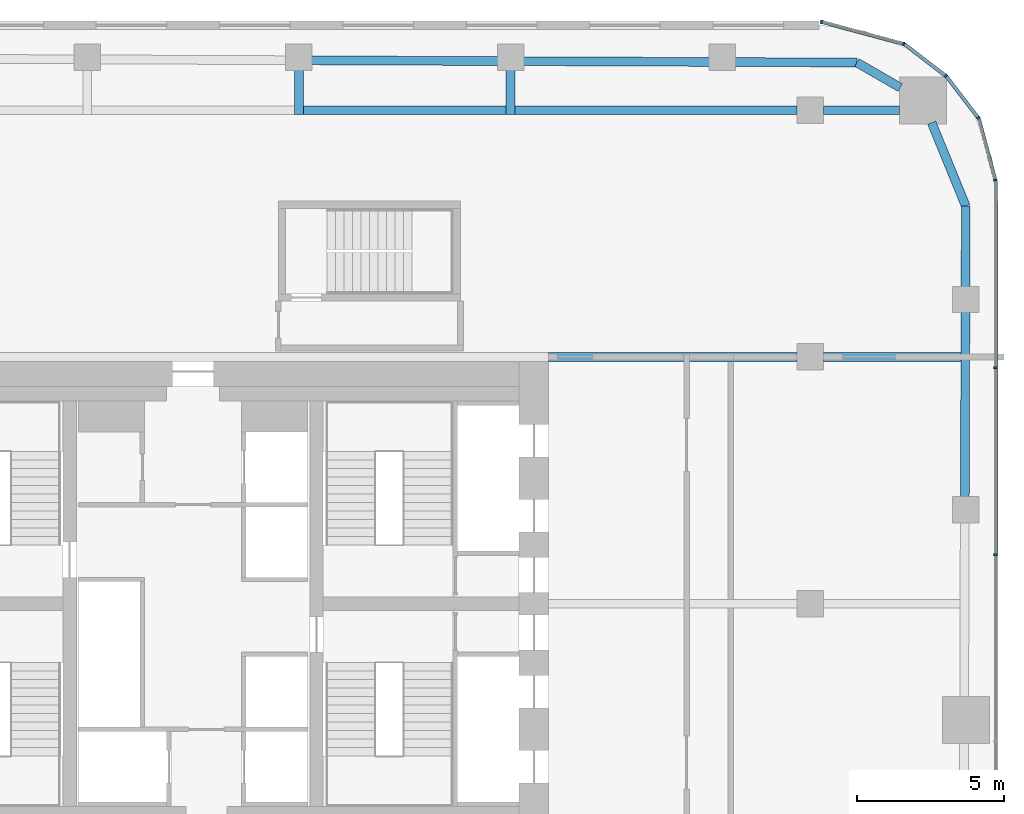
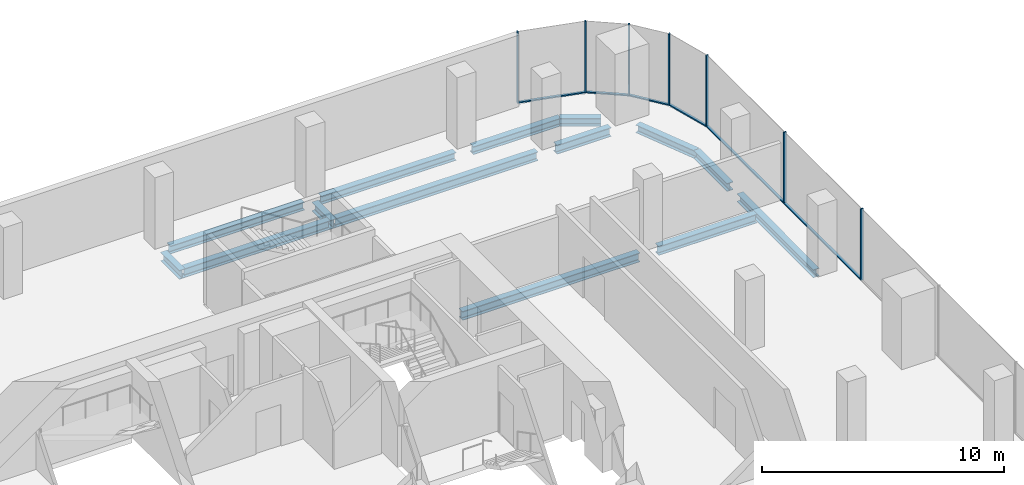
# One storey, part 11 of 21: 14 beams, 13 members, 5 elements without a shape of their own.
"""IFC4 building model written with IfcOpenShell, lengths in metres."""

from ifc_helpers import new_model, si_unit, direction, frame, origin, origin_2d, place, context, subcontext, project, spatial, rectangle, i_section, extrude, material, layer, layer_set, material_profile, profile_set, type_object, element, aggregate, save


model = new_model("IFC4")

# Units and contexts
model_context = context("Model", 3, precision=1e-05, world=origin(), true_north=direction((0.0, 1.0)))
body_context = subcontext(model_context, "Body", "Model", "MODEL_VIEW")
ifc_project = project(units=[si_unit("LENGTHUNIT", "METRE"), si_unit("AREAUNIT", "SQUARE_METRE"), si_unit("VOLUMEUNIT", "CUBIC_METRE"), si_unit("PLANEANGLEUNIT", "RADIAN"), si_unit("MASSUNIT", "GRAM", prefix="KILO")], contexts=[model_context])

# Site, building, storey
site_placement = place(None, origin())
site = spatial("IfcSite", under=ifc_project, at=site_placement, CompositionType="ELEMENT")
building_placement = place(site_placement, origin())
building = spatial("IfcBuilding", under=site, at=building_placement, Name="Marenta Gate Hotel Tower", CompositionType="ELEMENT")
storey_placement = place(building_placement, frame((0.0, 0.0, 133.699951171875)))
storey = spatial("IfcBuildingStorey", under=building, at=storey_placement, Name="L30", CompositionType="ELEMENT", Elevation=133.699951171875)

# Beams
ifc_material_1 = material(Name="Steel S355", Category="steel")
ifc_material_profile_1 = material_profile(ifc_material_1, i_section(OverallWidth=0.300048828125, OverallDepth=0.39990234375, WebThickness=0.013427734375, FlangeThickness=0.02392578125, FilletRadius=0.027099609375, at=origin_2d()), Name="HEB 400")
ifc_profile_set_1 = profile_set([ifc_material_profile_1], Name="Steel S355")
beam_type_1 = type_object("IfcBeamType", Name="Edge beam HEB 400", PredefinedType="SPANDREL", material=ifc_profile_set_1)
beam_1_placement = place(storey_placement, frame((4.011474609375, 26.89697265625, -0.4599609375), z_axis=(0.999991780119, -0.004054589324, 0.0), x_axis=(0.004054589324, 0.999991780119, 0.0)))
element("IfcBeam", 1, at=beam_1_placement, inside=storey, type_object=beam_type_1, Name="L30-EB-17", PredefinedType="SPANDREL", context=body_context, shape_type="SweptSolid", body=[
    extrude(i_section(OverallWidth=0.300048828125, OverallDepth=0.39990234375, WebThickness=0.013427734375, FlangeThickness=0.02392578125, FilletRadius=0.027099609375, at=origin_2d()), origin(), (0.0, 0.0, 1.0), 6.382568359375),
])
beam_2_placement = place(storey_placement, frame((11.214111328125, 26.86767578125, -0.4599609375), z_axis=(0.999991780748, -0.00405443424, 0.0), x_axis=(0.00405443424, 0.999991780748, 0.0)))
element("IfcBeam", 2, at=beam_2_placement, inside=storey, type_object=beam_type_1, Name="L30-EB-18", PredefinedType="SPANDREL", context=body_context, shape_type="SweptSolid", body=[
    extrude(i_section(OverallWidth=0.300048828125, OverallDepth=0.39990234375, WebThickness=0.013427734375, FlangeThickness=0.02392578125, FilletRadius=0.027099609375, at=origin_2d()), origin(), (0.0, 0.0, 1.0), 6.3828125),
])
beam_3_placement = place(storey_placement, frame((18.4169921875, 26.83837890625, -0.4599609375), z_axis=(0.999991621459, -0.004093532953, 0.0), x_axis=(0.004093532953, 0.999991621459, 0.0)))
element("IfcBeam", 3, at=beam_3_placement, inside=storey, type_object=beam_type_1, Name="L30-EB-19", PredefinedType="SPANDREL", context=body_context, shape_type="SweptSolid", body=[
    extrude(i_section(OverallWidth=0.300048828125, OverallDepth=0.39990234375, WebThickness=0.013427734375, FlangeThickness=0.02392578125, FilletRadius=0.027099609375, at=origin_2d()), origin(), (0.0, 0.0, 1.0), 4.1748046875),
])
beam_4_placement = place(storey_placement, frame((22.591796875, 26.8212890625, -0.4599609375), z_axis=(0.866016478054, -0.500015459501, 0.0), x_axis=(0.500015459501, 0.866016478054, 0.0)))
element("IfcBeam", 4, at=beam_4_placement, inside=storey, type_object=beam_type_1, Name="L30-EB-20", PredefinedType="SPANDREL", context=body_context, shape_type="SweptSolid", body=[
    extrude(i_section(OverallWidth=0.300048828125, OverallDepth=0.39990234375, WebThickness=0.013427734375, FlangeThickness=0.02392578125, FilletRadius=0.027099609375, at=origin_2d()), origin(), (0.0, 0.0, 1.0), 1.70703125),
])
beam_5_placement = place(storey_placement, frame((25.138916015625, 24.7724609375, -0.4599609375), z_axis=(0.378682450416, -0.925526661824, 0.0), x_axis=(0.925526661824, 0.378682450416, 0.0)))
element("IfcBeam", 5, at=beam_5_placement, inside=storey, type_object=beam_type_1, Name="L30-EB-21", PredefinedType="SPANDREL", context=body_context, shape_type="SweptSolid", body=[
    extrude(i_section(OverallWidth=0.300048828125, OverallDepth=0.39990234375, WebThickness=0.013427734375, FlangeThickness=0.02392578125, FilletRadius=0.027099609375, at=origin_2d()), origin(), (0.0, 0.0, 1.0), 3.066162109375),
])
beam_6_placement = place(storey_placement, frame((26.300048828125, 21.9345703125, -0.4599609375), z_axis=(-0.003351542298, -0.999994383566, 0.0), x_axis=(0.999994383566, -0.003351542298, 0.0)))
element("IfcBeam", 6, at=beam_6_placement, inside=storey, type_object=beam_type_1, Name="L30-EB-22", PredefinedType="SPANDREL", context=body_context, shape_type="SweptSolid", body=[
    extrude(i_section(OverallWidth=0.300048828125, OverallDepth=0.39990234375, WebThickness=0.013427734375, FlangeThickness=0.02392578125, FilletRadius=0.027099609375, at=origin_2d()), origin(), (0.0, 0.0, 1.0), 2.76806640625),
])
beam_7_placement = place(storey_placement, frame((26.2880859375, 18.346435546875, -0.4599609375), z_axis=(-0.00335374545, -0.99999437618, 0.0), x_axis=(0.99999437618, -0.00335374545, 0.0)))
element("IfcBeam", 7, at=beam_7_placement, inside=storey, type_object=beam_type_1, Name="L30-EB-23", PredefinedType="SPANDREL", context=body_context, shape_type="SweptSolid", body=[
    extrude(i_section(OverallWidth=0.300048828125, OverallDepth=0.39990234375, WebThickness=0.013427734375, FlangeThickness=0.02392578125, FilletRadius=0.027099609375, at=origin_2d()), origin(), (0.0, 0.0, 1.0), 6.333251953125),
])
ifc_material_2 = material(Name="Steel S355", Category="steel")
ifc_material_profile_2 = material_profile(ifc_material_2, i_section(OverallWidth=0.300048828125, OverallDepth=0.449951171875, WebThickness=0.013916015625, FlangeThickness=0.02587890625, FilletRadius=0.027099609375, at=origin_2d()), Name="HEB 450")
ifc_profile_set_2 = profile_set([ifc_material_profile_2], Name="Steel S355")
beam_type_2 = type_object("IfcBeamType", Name="Girder HEB 450", PredefinedType="BEAM", material=ifc_profile_set_2)
beam_8_placement = place(storey_placement, frame((12.10009765625, 16.800048828125, -0.48486328125), z_axis=(1.0, 0.0, 0.0), x_axis=(0.0, 1.0, 0.0)))
element("IfcBeam", 8, at=beam_8_placement, inside=storey, type_object=beam_type_2, Name="L30-GD-27", PredefinedType="BEAM", context=body_context, shape_type="SweptSolid", body=[
    extrude(i_section(OverallWidth=0.300048828125, OverallDepth=0.449951171875, WebThickness=0.013916015625, FlangeThickness=0.02587890625, FilletRadius=0.027099609375, at=origin_2d()), origin(), (0.0, 0.0, 1.0), 8.449951171875),
])
beam_9_placement = place(storey_placement, frame((21.449951171875, 16.800048828125, -0.48486328125), z_axis=(1.0, 0.0, 0.0), x_axis=(0.0, 1.0, 0.0)))
element("IfcBeam", 9, at=beam_9_placement, inside=storey, type_object=beam_type_2, Name="L30-GD-28", PredefinedType="BEAM", context=body_context, shape_type="SweptSolid", body=[
    extrude(i_section(OverallWidth=0.300048828125, OverallDepth=0.449951171875, WebThickness=0.013916015625, FlangeThickness=0.02587890625, FilletRadius=0.027099609375, at=origin_2d()), origin(), (0.0, 0.0, 1.0), 4.682861328125),
])
beam_10_placement = place(storey_placement, frame((3.75146484375, 25.199951171875, -0.48486328125), z_axis=(1.0, 0.0, 0.0), x_axis=(0.0, 1.0, 0.0)))
element("IfcBeam", 10, at=beam_10_placement, inside=storey, type_object=beam_type_2, Name="L30-GD-33", PredefinedType="BEAM", context=body_context, shape_type="SweptSolid", body=[
    extrude(i_section(OverallWidth=0.300048828125, OverallDepth=0.449951171875, WebThickness=0.013916015625, FlangeThickness=0.02587890625, FilletRadius=0.027099609375, at=origin_2d()), origin(), (0.0, 0.0, 1.0), 6.902587890625),
])
beam_11_placement = place(storey_placement, frame((10.9541015625, 25.199951171875, -0.48486328125), z_axis=(1.0, 0.0, 0.0), x_axis=(0.0, 1.0, 0.0)))
element("IfcBeam", 11, at=beam_11_placement, inside=storey, type_object=beam_type_2, Name="L30-GD-34", PredefinedType="BEAM", context=body_context, shape_type="SweptSolid", body=[
    extrude(i_section(OverallWidth=0.300048828125, OverallDepth=0.449951171875, WebThickness=0.013916015625, FlangeThickness=0.02587890625, FilletRadius=0.027099609375, at=origin_2d()), origin(), (0.0, 0.0, 1.0), 9.595947265625),
])
beam_12_placement = place(storey_placement, frame((21.449951171875, 25.199951171875, -0.48486328125), z_axis=(1.0, 0.0, 0.0), x_axis=(0.0, 1.0, 0.0)))
element("IfcBeam", 12, at=beam_12_placement, inside=storey, type_object=beam_type_2, Name="L30-GD-35", PredefinedType="BEAM", context=body_context, shape_type="SweptSolid", body=[
    extrude(i_section(OverallWidth=0.300048828125, OverallDepth=0.449951171875, WebThickness=0.013916015625, FlangeThickness=0.02587890625, FilletRadius=0.027099609375, at=origin_2d()), origin(), (0.0, 0.0, 1.0), 2.58544921875),
])
ifc_material_3 = material(Name="Steel S355", Category="steel")
ifc_material_profile_3 = material_profile(ifc_material_3, i_section(OverallWidth=0.300048828125, OverallDepth=0.449951171875, WebThickness=0.013916015625, FlangeThickness=0.02587890625, FilletRadius=0.027099609375, at=origin_2d()), Name="HEB 450")
ifc_profile_set_3 = profile_set([ifc_material_profile_3], Name="Steel S355")
beam_type_3 = type_object("IfcBeamType", Name="Girder bracket HEB 450", PredefinedType="BEAM", material=ifc_profile_set_3)
for number, where, z_axis, x_axis, name in (
    (13, (3.601318359375, 25.050048828125, -0.48486328125), (0.0, 1.0, 0.0), (-1.0, 0.0, 0.0), "L30-GS-3"),
    (14, (10.80419921875, 25.050048828125, -0.48486328125), (0.0, 1.0, 0.0), (-1.0, 0.0, 0.0), "L30-GS-4"),
):
    element("IfcBeam", number, at=place(storey_placement, frame(where, z_axis=z_axis, x_axis=x_axis)), inside=storey, type_object=beam_type_3, Name=name, PredefinedType="BEAM", context=body_context, shape_type="SweptSolid", body=[
        extrude(i_section(OverallWidth=0.300048828125, OverallDepth=0.449951171875, WebThickness=0.013916015625, FlangeThickness=0.02587890625, FilletRadius=0.027099609375, at=origin_2d()), origin(), (0.0, 0.0, 1.0), 1.5400390625),
    ])

# Curtain wall, members
ifc_material_4 = material(Name="Tinted insulated glass in bronze anodised frame", Category="glass")
ifc_layer = layer(ifc_material_4, 0.1201171875)
ifc_layer_set = layer_set([ifc_layer], Name="Tinted insulated glass in bronze anodised frame")
curtain_wall_type = type_object("IfcCurtainWallType", Name="Tower unitised curtain wall CW1", PredefinedType="NOTDEFINED", material=ifc_layer_set)
curtain_wall_1_placement = place(storey_placement, origin())
curtain_wall_1 = element("IfcCurtainWall", 15, at=curtain_wall_1_placement, inside=storey, type_object=curtain_wall_type, Name="CW1 run G11", PredefinedType="NOTDEFINED")
ifc_material_5 = material(Name="Bronze anodised aluminium", Category="aluminium")
ifc_material_profile_4 = material_profile(ifc_material_5, rectangle(XDim=0.1201171875, YDim=0.06005859375, at=origin_2d()), Name="Mullion CW1 60x120 bronze anodised aluminium")
ifc_profile_set_4 = profile_set([ifc_material_profile_4], Name="Bronze anodised aluminium")
member_type_1 = type_object("IfcMemberType", Name="Mullion CW1 60x120 bronze anodised aluminium", PredefinedType="MULLION", material=ifc_profile_set_4)
member_1_placement = place(storey_placement, frame((27.31396484375, 10.072021484375, 0.0), z_axis=(0.0, 0.0, 1.0), x_axis=(-1.0, 0.0, 0.0)))
member_1 = element("IfcMember", 16, at=member_1_placement, type_object=member_type_1, Name="CW1 mullion 5", PredefinedType="MULLION", context=body_context, shape_type="SweptSolid", body=[
    extrude(rectangle(XDim=0.1201171875, YDim=0.06005859375, at=origin_2d()), origin(), (0.0, 0.0, 1.0), 3.60009765625),
])
member_2_placement = place(storey_placement, frame((27.31396484375, 16.431884765625, 0.0), z_axis=(0.0, 0.0, 1.0), x_axis=(-1.0, 0.0, 0.0)))
member_2 = element("IfcMember", 17, at=member_2_placement, type_object=member_type_1, Name="CW1 mullion 6", PredefinedType="MULLION", context=body_context, shape_type="SweptSolid", body=[
    extrude(rectangle(XDim=0.1201171875, YDim=0.06005859375, at=origin_2d()), origin(), (0.0, 0.0, 1.0), 3.60009765625),
])

# Curtain wall, member
curtain_wall_2_placement = place(storey_placement, origin())
curtain_wall_2 = element("IfcCurtainWall", 18, at=curtain_wall_2_placement, inside=storey, type_object=curtain_wall_type, Name="CW1 run G12", PredefinedType="NOTDEFINED")
member_3_placement = place(storey_placement, frame((27.30615234375, 22.82080078125, 0.0), z_axis=(0.0, 0.0, 1.0), x_axis=(-0.965924859908, -0.258822651658, 0.0)))
member_3 = element("IfcMember", 19, at=member_3_placement, type_object=member_type_1, Name="CW1 mullion 1", PredefinedType="MULLION", context=body_context, shape_type="SweptSolid", body=[
    extrude(rectangle(XDim=0.1201171875, YDim=0.06005859375, at=origin_2d()), origin(), (0.0, 0.0, 1.0), 3.60009765625),
])

curtain_wall_3_placement = place(storey_placement, origin())
curtain_wall_3 = element("IfcCurtainWall", 20, at=curtain_wall_3_placement, inside=storey, type_object=curtain_wall_type, Name="CW1 run G13", PredefinedType="NOTDEFINED")
member_4_placement = place(storey_placement, frame((26.727783203125, 24.93505859375, 0.0), z_axis=(0.0, 0.0, 1.0), x_axis=(-0.793326722289, -0.608796116694, 0.0)))
member_4 = element("IfcMember", 21, at=member_4_placement, type_object=member_type_1, Name="CW1 mullion 1", PredefinedType="MULLION", context=body_context, shape_type="SweptSolid", body=[
    extrude(rectangle(XDim=0.1201171875, YDim=0.06005859375, at=origin_2d()), origin(), (0.0, 0.0, 1.0), 3.60009765625),
])

curtain_wall_4_placement = place(storey_placement, origin())
curtain_wall_4 = element("IfcCurtainWall", 22, at=curtain_wall_4_placement, inside=storey, type_object=curtain_wall_type, Name="CW1 run G14", PredefinedType="NOTDEFINED")
member_5_placement = place(storey_placement, frame((25.62158203125, 26.36376953125, 0.0), z_axis=(0.0, 0.0, 1.0), x_axis=(-0.608796116694, -0.793326722289, 0.0)))
member_5 = element("IfcMember", 23, at=member_5_placement, type_object=member_type_1, Name="CW1 mullion 1", PredefinedType="MULLION", context=body_context, shape_type="SweptSolid", body=[
    extrude(rectangle(XDim=0.1201171875, YDim=0.06005859375, at=origin_2d()), origin(), (0.0, 0.0, 1.0), 3.60009765625),
])

# Curtain wall, members
curtain_wall_5_placement = place(storey_placement, origin())
curtain_wall_5 = element("IfcCurtainWall", 24, at=curtain_wall_5_placement, inside=storey, type_object=curtain_wall_type, Name="CW1 run G15", PredefinedType="NOTDEFINED")
member_6_placement = place(storey_placement, frame((24.182373046875, 27.453857421875, 0.0), z_axis=(0.0, 0.0, 1.0), x_axis=(-0.258805989975, -0.965929324305, 0.0)))
member_6 = element("IfcMember", 25, at=member_6_placement, type_object=member_type_1, Name="CW1 mullion 1", PredefinedType="MULLION", context=body_context, shape_type="SweptSolid", body=[
    extrude(rectangle(XDim=0.1201171875, YDim=0.06005859375, at=origin_2d()), origin(), (0.0, 0.0, 1.0), 3.60009765625),
])
member_7_placement = place(storey_placement, frame((21.385498046875, 28.203125, 0.0), z_axis=(0.0, 0.0, 1.0), x_axis=(-0.258805989975, -0.965929324305, 0.0)))
member_7 = element("IfcMember", 26, at=member_7_placement, type_object=member_type_1, Name="CW1 mullion 2", PredefinedType="MULLION", context=body_context, shape_type="SweptSolid", body=[
    extrude(rectangle(XDim=0.1201171875, YDim=0.06005859375, at=origin_2d()), origin(), (0.0, 0.0, 1.0), 3.60009765625),
])

# Member
ifc_material_6 = material(Name="Bronze anodised aluminium", Category="aluminium")
ifc_material_profile_5 = material_profile(ifc_material_6, rectangle(XDim=0.1201171875, YDim=0.06005859375, at=origin_2d()), Name="Transom CW1 60x120 bronze anodised aluminium")
ifc_profile_set_5 = profile_set([ifc_material_profile_5], Name="Bronze anodised aluminium")
member_type_2 = type_object("IfcMemberType", Name="Transom CW1 60x120 bronze anodised aluminium", PredefinedType="USERDEFINED", material=ifc_profile_set_5)
member_8_placement = place(storey_placement, frame((27.31396484375, 10.10205078125, 0.030029296875), z_axis=(0.0, 1.0, 0.0), x_axis=(-1.0, 0.0, 0.0)))
member_8 = element("IfcMember", 27, at=member_8_placement, type_object=member_type_2, Name="CW1 transom 5.1", ObjectType="TRANSOM", PredefinedType="USERDEFINED", context=body_context, shape_type="SweptSolid", body=[
    extrude(rectangle(XDim=0.1201171875, YDim=0.06005859375, at=origin_2d()), origin(), (0.0, 0.0, 1.0), 6.2998046875),
])

member_9_placement = place(storey_placement, frame((27.31396484375, 16.4619140625, 0.030029296875), z_axis=(0.0, 1.0, 0.0), x_axis=(-1.0, 0.0, 0.0)))
member_9 = element("IfcMember", 28, at=member_9_placement, type_object=member_type_2, Name="CW1 transom 6.1", ObjectType="TRANSOM", PredefinedType="USERDEFINED", context=body_context, shape_type="SweptSolid", body=[
    extrude(rectangle(XDim=0.1201171875, YDim=0.06005859375, at=origin_2d()), origin(), (0.0, 0.0, 1.0), 6.330078125),
])

aggregate(curtain_wall_1, [member_1, member_2, member_8, member_9])

member_10_placement = place(storey_placement, frame((27.298583984375, 22.849853515625, 0.030029296875), z_axis=(-0.258865686882, 0.965913327455, 0.0), x_axis=(-0.965913327455, -0.258865686882, 0.0)))
member_10 = element("IfcMember", 29, at=member_10_placement, type_object=member_type_2, Name="CW1 transom 1.1", ObjectType="TRANSOM", PredefinedType="USERDEFINED", context=body_context, shape_type="SweptSolid", body=[
    extrude(rectangle(XDim=0.1201171875, YDim=0.06005859375, at=origin_2d()), origin(), (0.0, 0.0, 1.0), 2.13427734375),
])

aggregate(curtain_wall_2, [member_3, member_10])

member_11_placement = place(storey_placement, frame((26.70947265625, 24.958984375, 0.030029296875), z_axis=(-0.608792205599, 0.793329723634, 0.0), x_axis=(-0.793329723634, -0.608792205599, 0.0)))
member_11 = element("IfcMember", 30, at=member_11_placement, type_object=member_type_2, Name="CW1 transom 1.1", ObjectType="TRANSOM", PredefinedType="USERDEFINED", context=body_context, shape_type="SweptSolid", body=[
    extrude(rectangle(XDim=0.1201171875, YDim=0.06005859375, at=origin_2d()), origin(), (0.0, 0.0, 1.0), 1.74755859375),
])

aggregate(curtain_wall_3, [member_4, member_11])

member_12_placement = place(storey_placement, frame((25.597900390625, 26.382080078125, 0.030029296875), z_axis=(-0.793381490019, 0.608724741814, 0.0), x_axis=(-0.608724741814, -0.793381490019, 0.0)))
member_12 = element("IfcMember", 31, at=member_12_placement, type_object=member_type_2, Name="CW1 transom 1.1", ObjectType="TRANSOM", PredefinedType="USERDEFINED", context=body_context, shape_type="SweptSolid", body=[
    extrude(rectangle(XDim=0.1201171875, YDim=0.06005859375, at=origin_2d()), origin(), (0.0, 0.0, 1.0), 1.747802734375),
])

aggregate(curtain_wall_4, [member_5, member_12])

member_13_placement = place(storey_placement, frame((24.1533203125, 27.461669921875, 0.030029296875), z_axis=(-0.965922684272, 0.258830770986, 0.0), x_axis=(-0.258830770986, -0.965922684272, 0.0)))
member_13 = element("IfcMember", 32, at=member_13_placement, type_object=member_type_2, Name="CW1 transom 1.1", ObjectType="TRANSOM", PredefinedType="USERDEFINED", context=body_context, shape_type="SweptSolid", body=[
    extrude(rectangle(XDim=0.1201171875, YDim=0.06005859375, at=origin_2d()), origin(), (0.0, 0.0, 1.0), 2.83544921875),
])

aggregate(curtain_wall_5, [member_6, member_7, member_13])

save(model, "model.ifc")
